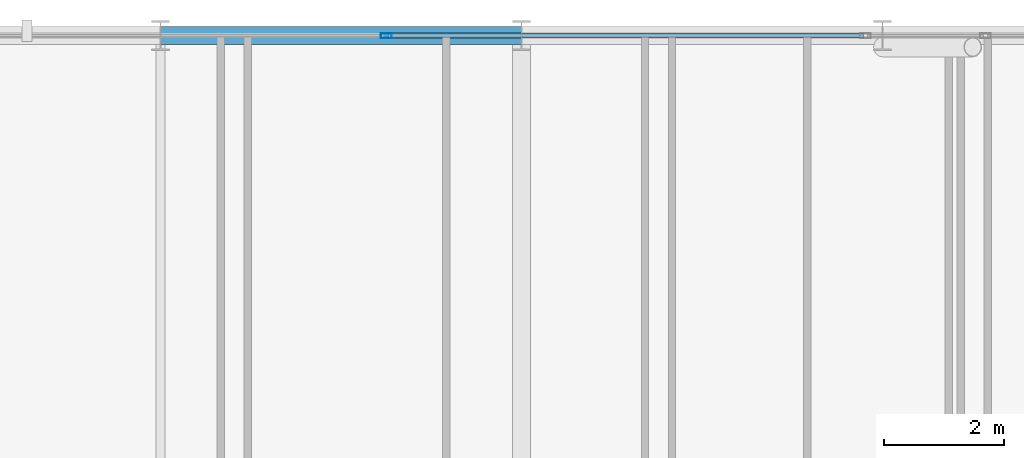
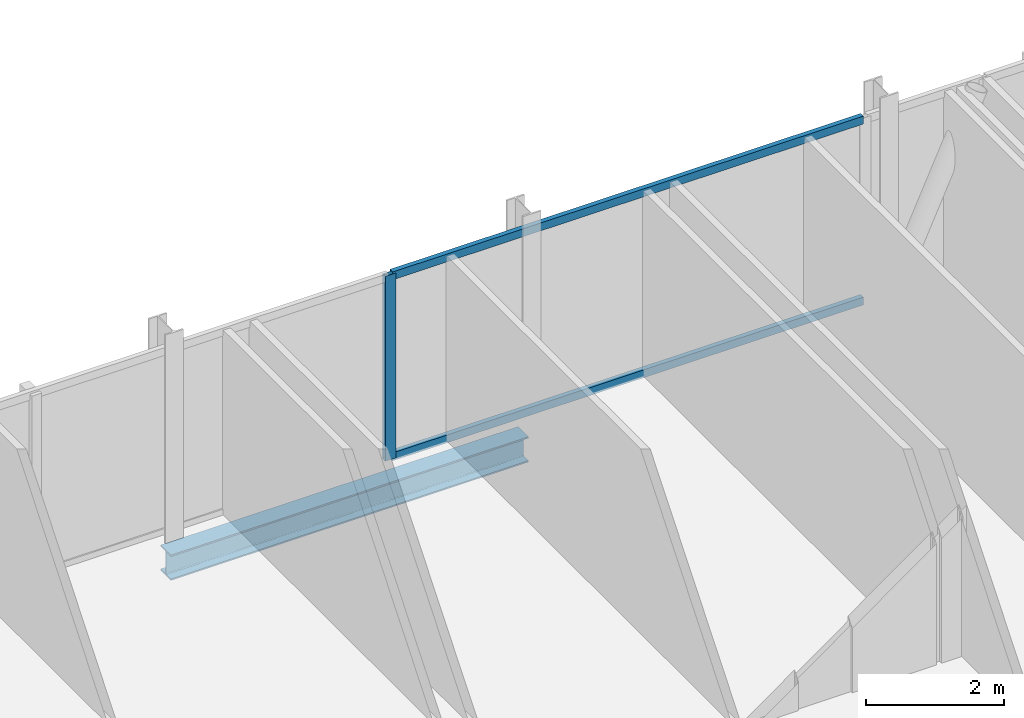
# One storey, part 18 of 31: 3 members, 1 beam, 1 element without a shape of its own.
"""IFC4 building model written with IfcOpenShell, lengths in metres."""

import ifcopenshell
import ifcopenshell.guid

model = None  # the IFC model being written
_history = None  # IfcOwnerHistory: only IFC2X3 demands one
_inside = {}  # id of a spatial element -> (the spatial element, [elements in it])
_under = {}  # id of a project, library or spatial element -> (it, [spatial elements below it])
_declared = {}  # id of a project -> (the project, [libraries it declares])
_typed = {}  # id of a type object -> (the type object, [elements of that type])
_made_of = {}  # id of a material, layer set ... -> (it, [elements and type objects made of it])


def new_model(schema):
    """Start an empty IFC model of exactly this schema.

    Asked for "IFC4X3", IfcOpenShell would pick the latest addendum, in which some entities
    have other attributes; the version numbers below select the first issue.
    IFC2X3 requires an IfcOwnerHistory on every rooted entity: one is made here for all.
    """
    global model, _history
    if schema == "IFC4X3":
        model = ifcopenshell.file(schema_version=(4, 3, 0, 0))
    else:
        model = ifcopenshell.file(schema=schema)
    _inside.clear()
    _under.clear()
    _declared.clear()
    _typed.clear()
    _made_of.clear()
    _history = None
    if model.schema == "IFC2X3":
        org = make("IfcOrganization", Name="unknown")
        user = make(
            "IfcPersonAndOrganization",
            ThePerson=make("IfcPerson", FamilyName="unknown"),
            TheOrganization=org,
        )
        app = make(
            "IfcApplication",
            ApplicationDeveloper=org,
            Version="unknown",
            ApplicationFullName="unknown",
            ApplicationIdentifier="unknown",
        )
        _history = make(
            "IfcOwnerHistory",
            OwningUser=user,
            OwningApplication=app,
            ChangeAction="ADDED",
            CreationDate=0,
        )
    return model


def make(cls, **values):
    """One entity of the class cls with the attributes given. An attribute that is None is left unset."""
    return model.create_entity(
        cls, **{name: value for name, value in values.items() if value is not None}
    )


def rooted(cls, **values):
    """An entity with a GlobalId (a new one), such as an element, a storey or a relation."""
    return make(cls, GlobalId=ifcopenshell.guid.new(), OwnerHistory=_history, **values)


def si_unit(unit_type, name, prefix=None):
    """IfcSIUnit, for example si_unit("LENGTHUNIT", "METRE", prefix="MILLI")."""
    return make("IfcSIUnit", UnitType=unit_type, Prefix=prefix, Name=name)


def assignment(units):
    """IfcUnitAssignment: the units of a project."""
    return None if units is None else make("IfcUnitAssignment", Units=units)


def point(xyz):
    """IfcCartesianPoint."""
    return None if xyz is None else make("IfcCartesianPoint", Coordinates=xyz)


def direction(xyz):
    """IfcDirection."""
    return None if xyz is None else make("IfcDirection", DirectionRatios=xyz)


def frame(location, z_axis=None, x_axis=None):
    """IfcAxis2Placement3D, a coordinate frame: its origin and axes. An axis left out is left unset."""
    return make(
        "IfcAxis2Placement3D",
        Location=point(location),
        Axis=direction(z_axis),
        RefDirection=direction(x_axis),
    )


def frame_2d(location, x_axis=None):
    """IfcAxis2Placement2D, a coordinate frame in the plane: its origin and x axis."""
    return make(
        "IfcAxis2Placement2D", Location=point(location), RefDirection=direction(x_axis)
    )


def origin():
    """The frame at (0, 0, 0) with its axes left unset."""
    return frame((0.0, 0.0, 0.0))


def origin_2d():
    """The frame at (0, 0) in the plane with its x axis left unset."""
    return frame_2d((0.0, 0.0))


def place(relative_to, where):
    """IfcLocalPlacement: puts the frame where relative to a parent placement (None: the world)."""
    return make(
        "IfcLocalPlacement", PlacementRelTo=relative_to, RelativePlacement=where
    )


def context(
    kind, dimensions, precision=None, world=None, true_north=None, identifier=None
):
    """IfcGeometricRepresentationContext, for example the 3D "Model" context."""
    return make(
        "IfcGeometricRepresentationContext",
        ContextIdentifier=identifier,
        ContextType=kind,
        CoordinateSpaceDimension=dimensions,
        Precision=precision,
        WorldCoordinateSystem=world,
        TrueNorth=true_north,
    )


def subcontext(parent, identifier, kind, view, scale=None):
    """IfcGeometricRepresentationSubContext, for example "Body" below "Model"."""
    return make(
        "IfcGeometricRepresentationSubContext",
        ContextIdentifier=identifier,
        ContextType=kind,
        ParentContext=parent,
        TargetScale=scale,
        TargetView=view,
    )


def project(units=None, contexts=None):
    """IfcProject with its units and contexts."""
    return rooted(
        "IfcProject",
        Name="project",
        RepresentationContexts=contexts,
        UnitsInContext=assignment(units),
    )


def spatial(cls, under=None, at=None, **own):
    """A site, building, storey or space (cls), placed at a placement, below another one or the project."""
    s = rooted(cls, ObjectPlacement=at, **own)
    if under is not None:
        _under.setdefault(under.id(), (under, []))[1].append(s)
    return s


def profile(cls, at=None, kind="AREA", **sizes):
    """A parametric profile (cls). Its sizes go by their IFC names, for example OverallWidth=200.0."""
    return make(cls, ProfileType=kind, Position=at, **sizes)


def hollow_rectangle(**sizes):
    """IfcRectangleHollowProfileDef."""
    return profile("IfcRectangleHollowProfileDef", **sizes)


def i_section(**sizes):
    """IfcIShapeProfileDef."""
    return profile("IfcIShapeProfileDef", **sizes)


def extrude(swept, where, along, depth):
    """IfcExtrudedAreaSolid: the profile swept, set in the frame where, extruded along a direction by depth."""
    return make(
        "IfcExtrudedAreaSolid",
        SweptArea=swept,
        Position=where,
        ExtrudedDirection=direction(along),
        Depth=depth,
    )


def shape(context_of_items, identifier, shape_type, items):
    """IfcShapeRepresentation: the items that make up one representation, for example the "Body"."""
    return make(
        "IfcShapeRepresentation",
        ContextOfItems=context_of_items,
        RepresentationIdentifier=identifier,
        RepresentationType=shape_type,
        Items=items,
    )


def material(Name=None, Category=None):
    """IfcMaterial."""
    return make("IfcMaterial", Name=Name, Category=Category)


def layer(
    of_material, thickness, ventilated=None, Name=None, Category=None, Priority=None
):
    """IfcMaterialLayer: one layer of a wall or slab, of a material (None: an air gap)."""
    return make(
        "IfcMaterialLayer",
        Material=of_material,
        LayerThickness=thickness,
        IsVentilated=ventilated,
        Name=Name,
        Category=Category,
        Priority=Priority,
    )


def layer_set(layers, Name=None):
    """IfcMaterialLayerSet."""
    return make("IfcMaterialLayerSet", MaterialLayers=layers, LayerSetName=Name)


def material_profile(
    of_material, cross_section, Name=None, Category=None, Priority=None
):
    """IfcMaterialProfile: a cross section and its material."""
    return make(
        "IfcMaterialProfile",
        Name=Name,
        Material=of_material,
        Profile=cross_section,
        Priority=Priority,
        Category=Category,
    )


def profile_set(profiles, Name=None, composite=None):
    """IfcMaterialProfileSet."""
    return make(
        "IfcMaterialProfileSet",
        Name=Name,
        MaterialProfiles=profiles,
        CompositeProfile=composite,
    )


def made_of(thing, what):
    """Note that an element or type object is made of a material, layer set ...; save() writes the relation."""
    if what is not None:
        _made_of.setdefault(what.id(), (what, []))[1].append(thing)
    return thing


def type_object(cls, material=None, **own):
    """A type object (cls), such as IfcWallType, which elements share."""
    return made_of(rooted(cls, **own), material)


def element(
    cls,
    number,
    at=None,
    inside=None,
    cuts=None,
    type_object=None,
    material=None,
    context=None,
    identifier="Body",
    shape_type=None,
    held_by="IfcProductDefinitionShape",
    body=None,
    shapes=None,
    **own,
):
    """One element of the class cls, such as IfcWall. Its Tag is "e" and its number.

    at: its placement. inside: the storey or other place that contains it. cuts: it is an
    opening in that element (IfcRelVoidsElement). A single representation is given by context,
    identifier, shape_type and body (its items); several are given by shapes. held_by: the class
    of the entity that holds the representations. save() writes the other relations.
    """
    e = rooted(cls, Tag="e%d" % number, ObjectPlacement=at, **own)
    if body is not None:
        shapes = [shape(context, identifier, shape_type, body)]
    if shapes is not None:
        e.Representation = make(held_by, Representations=shapes)
    if inside is not None:
        _inside.setdefault(inside.id(), (inside, []))[1].append(e)
    if cuts is not None:
        rooted(
            "IfcRelVoidsElement", RelatingBuildingElement=cuts, RelatedOpeningElement=e
        )
    if type_object is not None:
        _typed.setdefault(type_object.id(), (type_object, []))[1].append(e)
    return made_of(e, material)


def aggregate(whole, parts):
    """IfcRelAggregates: a whole, such as a stair, and the parts it consists of."""
    return rooted("IfcRelAggregates", RelatingObject=whole, RelatedObjects=parts)


def save(model, path):
    """Write the relations noted so far, then the file.

    IfcRelAggregates (storeys below a building ...), IfcRelContainedInSpatialStructure (elements
    in a storey), IfcRelDefinesByType, IfcRelAssociatesMaterial and IfcRelDeclares: one each for
    every whole, place, type object, material and project.
    """
    for whole, parts in _under.values():
        aggregate(whole, parts)
    for where, things in _inside.values():
        rooted(
            "IfcRelContainedInSpatialStructure",
            RelatedElements=things,
            RelatingStructure=where,
        )
    for kind, things in _typed.values():
        rooted("IfcRelDefinesByType", RelatedObjects=things, RelatingType=kind)
    for what, things in _made_of.values():
        rooted("IfcRelAssociatesMaterial", RelatedObjects=things, RelatingMaterial=what)
    for by, libraries in _declared.values():
        rooted("IfcRelDeclares", RelatingContext=by, RelatedDefinitions=libraries)
    model.write(path)


model = new_model("IFC4")

# Units and contexts
model_context = context("Model", 3, precision=1e-05, world=origin(), true_north=direction((0.0, 1.0)))
body_context = subcontext(model_context, "Body", "Model", "MODEL_VIEW")
ifc_project = project(units=[si_unit("LENGTHUNIT", "METRE"), si_unit("AREAUNIT", "SQUARE_METRE"), si_unit("VOLUMEUNIT", "CUBIC_METRE"), si_unit("PLANEANGLEUNIT", "RADIAN"), si_unit("MASSUNIT", "GRAM", prefix="KILO")], contexts=[model_context])

# Site, building, storey
site_placement = place(None, origin())
site = spatial("IfcSite", under=ifc_project, at=site_placement, CompositionType="ELEMENT")
building_placement = place(site_placement, origin())
building = spatial("IfcBuilding", under=site, at=building_placement, Name="Keshet Zoharim Tower", CompositionType="ELEMENT")
storey_placement = place(building_placement, frame((0.0, 0.0, 155.699951171875)))
storey = spatial("IfcBuildingStorey", under=building, at=storey_placement, Name="L38", CompositionType="ELEMENT", Elevation=155.699951171875)

# Beam
ifc_material_1 = material(Name="Steel S355", Category="steel")
ifc_material_profile_1 = material_profile(ifc_material_1, i_section(OverallWidth=0.300048828125, OverallDepth=0.449951171875, WebThickness=0.013916015625, FlangeThickness=0.02587890625, FilletRadius=0.027099609375, at=origin_2d()), Name="HEB450")
ifc_profile_set_1 = profile_set([ifc_material_profile_1], Name="Steel S355")
beam_type = type_object("IfcBeamType", Name="BM-WEB-HB450", PredefinedType="BEAM", material=ifc_profile_set_1)
beam_placement = place(storey_placement, frame((27.0, 53.89990234375, -0.5400390625), z_axis=(1.0, 0.0, 0.0), x_axis=(0.0, 1.0, 0.0)))
element("IfcBeam", 1, at=beam_placement, inside=storey, type_object=beam_type, Name="L38 Primary Girder X-021", PredefinedType="BEAM", context=body_context, shape_type="SweptSolid", body=[
    extrude(i_section(OverallWidth=0.300048828125, OverallDepth=0.449951171875, WebThickness=0.013916015625, FlangeThickness=0.02587890625, FilletRadius=0.027099609375, at=origin_2d()), origin(), (0.0, 0.0, 1.0), 6.0),
])

# Curtain wall, members
ifc_material_2 = material(Name="Aluminium 6063-T6", Category="aluminium")
ifc_layer = layer(ifc_material_2, 0.159912109375)
ifc_layer_set = layer_set([ifc_layer], Name="Aluminium 6063-T6")
curtain_wall_type = type_object("IfcCurtainWallType", Name="CW-SYS-03", PredefinedType="NOTDEFINED", material=ifc_layer_set)
curtain_wall_placement = place(storey_placement, origin())
curtain_wall = element("IfcCurtainWall", 2, at=curtain_wall_placement, inside=storey, type_object=curtain_wall_type, Name="L38 Unitised Curtain Wall 13 Part 3", PredefinedType="NOTDEFINED")
ifc_material_profile_2 = material_profile(ifc_material_2, hollow_rectangle(XDim=0.080078125, YDim=0.179931640625, WallThickness=0.00439453125, at=origin_2d()), Name="MUL-80x180")
ifc_profile_set_2 = profile_set([ifc_material_profile_2], Name="Aluminium 6063-T6")
member_type_1 = type_object("IfcMemberType", Name="CWM-M18", PredefinedType="MULLION", material=ifc_profile_set_2)
member_1_placement = place(storey_placement, frame((30.75, 53.89990234375, 0.0), z_axis=(0.0, 0.0, 1.0), x_axis=(0.0, 1.0, 0.0)))
member_1 = element("IfcMember", 3, at=member_1_placement, type_object=member_type_1, Name="CW-03 mullion 2", PredefinedType="MULLION", context=body_context, shape_type="SweptSolid", body=[
    extrude(hollow_rectangle(XDim=0.080078125, YDim=0.179931640625, WallThickness=0.00439453125, at=origin_2d()), origin(), (0.0, 0.0, 1.0), 3.280029296875),
])
ifc_material_profile_3 = material_profile(ifc_material_2, hollow_rectangle(XDim=0.080078125, YDim=0.139892578125, WallThickness=0.00390625, at=origin_2d()), Name="TRN-80x140")
ifc_profile_set_3 = profile_set([ifc_material_profile_3], Name="Aluminium 6063-T6")
member_type_2 = type_object("IfcMemberType", Name="CWT-T14", PredefinedType="USERDEFINED", material=ifc_profile_set_3)
member_2_placement = place(storey_placement, frame((30.784912109375, 53.89990234375, 0.03515625), z_axis=(1.0, 0.0, 0.0), x_axis=(0.0, 1.0, 0.0)))
member_2 = element("IfcMember", 4, at=member_2_placement, type_object=member_type_2, Name="CW-03 transom 2.1", ObjectType="TRANSOM", PredefinedType="USERDEFINED", context=body_context, shape_type="SweptSolid", body=[
    extrude(hollow_rectangle(XDim=0.080078125, YDim=0.139892578125, WallThickness=0.00390625, at=origin_2d()), origin(), (0.0, 0.0, 1.0), 7.897705078125),
])
member_3_placement = place(storey_placement, frame((30.784912109375, 53.89990234375, 3.2451171875), z_axis=(1.0, 0.0, 0.0), x_axis=(0.0, 1.0, 0.0)))
member_3 = element("IfcMember", 5, at=member_3_placement, type_object=member_type_2, Name="CW-03 transom 2.2", ObjectType="TRANSOM", PredefinedType="USERDEFINED", context=body_context, shape_type="SweptSolid", body=[
    extrude(hollow_rectangle(XDim=0.080078125, YDim=0.139892578125, WallThickness=0.00390625, at=origin_2d()), origin(), (0.0, 0.0, 1.0), 7.897705078125),
])
aggregate(curtain_wall, [member_1, member_2, member_3])

save(model, "model.ifc")
